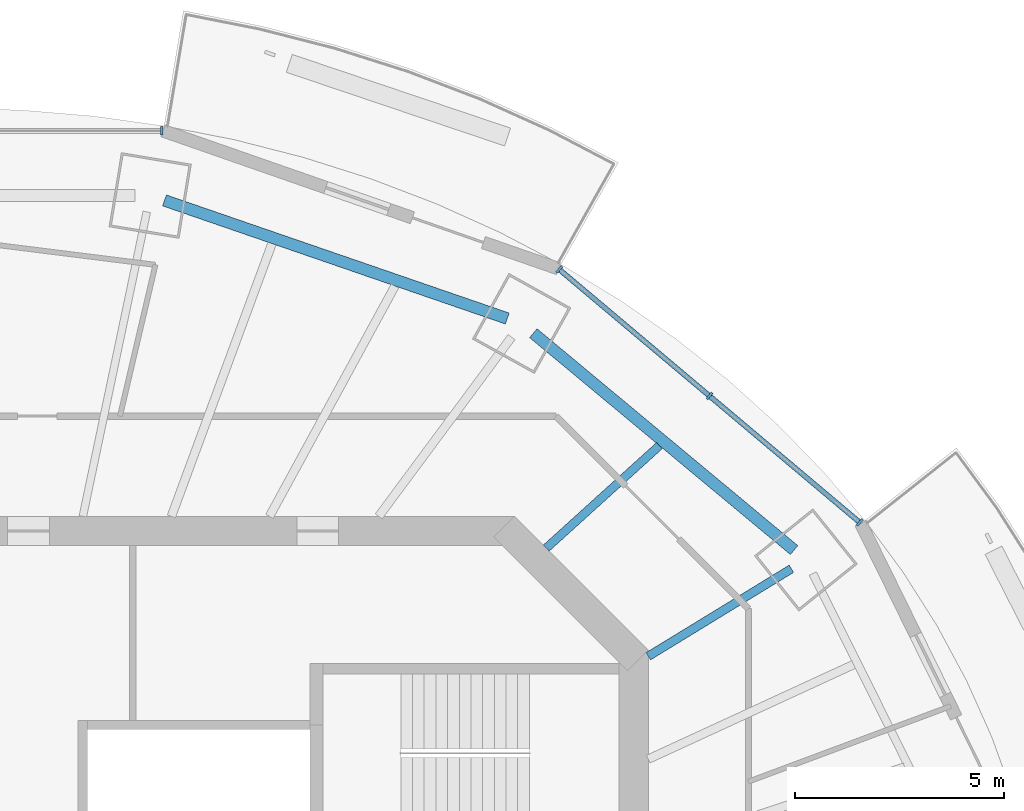
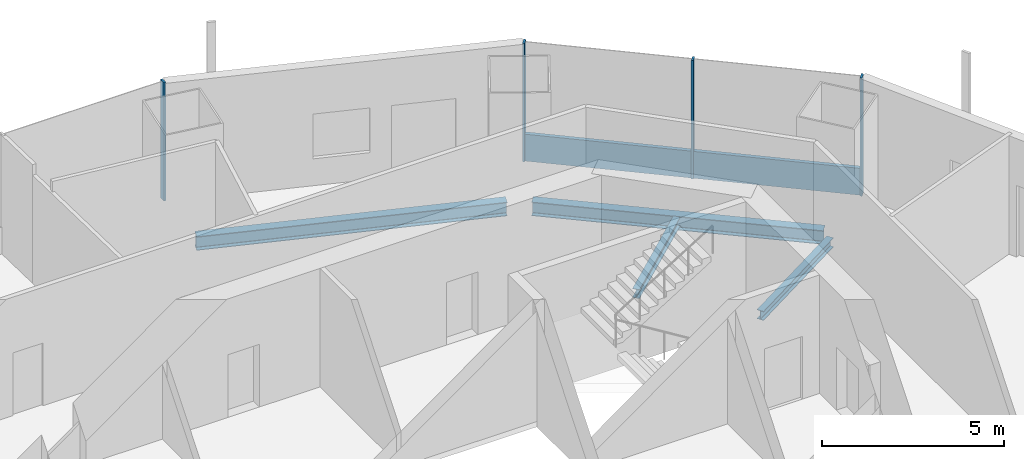
# One storey, part 6 of 16: 5 members, 4 beams, 2 elements without a shape of their own.
"""IFC4 building model written with IfcOpenShell, lengths in metres."""

from ifc_helpers import new_model, si_unit, direction, frame, origin, origin_2d, place, context, subcontext, project, spatial, rectangle, i_section, extrude, material, material_profile, profile_set, type_object, element, aggregate, save


model = new_model("IFC4")

# Units and contexts
model_context = context("Model", 3, precision=1e-05, world=origin(), true_north=direction((0.0, 1.0)))
body_context = subcontext(model_context, "Body", "Model", "MODEL_VIEW")
ifc_project = project(units=[si_unit("LENGTHUNIT", "METRE"), si_unit("AREAUNIT", "SQUARE_METRE"), si_unit("VOLUMEUNIT", "CUBIC_METRE"), si_unit("PLANEANGLEUNIT", "RADIAN"), si_unit("MASSUNIT", "GRAM", prefix="KILO")], contexts=[model_context])

# Site, building, storey
site_placement = place(None, origin())
site = spatial("IfcSite", under=ifc_project, at=site_placement, CompositionType="ELEMENT")
building_placement = place(site_placement, origin())
building = spatial("IfcBuilding", under=site, at=building_placement, Name="Marenthal Gate Tower", CompositionType="ELEMENT")
storey_placement = place(building_placement, frame((0.0, 0.0, 363.35009765625)))
storey = spatial("IfcBuildingStorey", under=building, at=storey_placement, Name="L82", CompositionType="ELEMENT", Elevation=363.35009765625)

# Curtain wall, members
ifc_material_1 = material(Name="Aluminium and glass", Category="aluminium")
curtain_wall_type = type_object("IfcCurtainWallType", Name="Curtain wall typical high", PredefinedType="NOTDEFINED", material=ifc_material_1)
curtain_wall_1_placement = place(storey_placement, origin())
curtain_wall_1 = element("IfcCurtainWall", 1, at=curtain_wall_1_placement, inside=storey, type_object=curtain_wall_type, Name="Curtain wall L82 bay 2", PredefinedType="NOTDEFINED")
ifc_material_2 = material(Name="Aluminium", Category="aluminium")
ifc_material_profile_1 = material_profile(ifc_material_2, rectangle(XDim=0.199951171875, YDim=0.06005859375, at=origin_2d()), Name="60x200 aluminium mullion")
ifc_profile_set_1 = profile_set([ifc_material_profile_1], Name="Aluminium")
member_type_1 = type_object("IfcMemberType", Name="Mullion 60x200 typical high", PredefinedType="MULLION", material=ifc_profile_set_1)
member_1_placement = place(storey_placement, frame((21.41552734375, 13.20361328125, 0.0), z_axis=(0.0, 0.0, 1.0), x_axis=(-0.644022605429, -0.765006459905, 0.0)))
member_1 = element("IfcMember", 2, at=member_1_placement, type_object=member_type_1, Name="Mullion L82 bay 2.1", PredefinedType="MULLION", context=body_context, shape_type="SweptSolid", body=[
    extrude(rectangle(XDim=0.199951171875, YDim=0.06005859375, at=origin_2d()), origin(), (0.0, 0.0, 1.0), 3.969970703125),
])
member_2_placement = place(storey_placement, frame((17.815185546875, 16.234375, 0.0), z_axis=(0.0, 0.0, 1.0), x_axis=(-0.644022605429, -0.765006459905, 0.0)))
member_2 = element("IfcMember", 3, at=member_2_placement, type_object=member_type_1, Name="Mullion L82 bay 2.2", PredefinedType="MULLION", context=body_context, shape_type="SweptSolid", body=[
    extrude(rectangle(XDim=0.199951171875, YDim=0.06005859375, at=origin_2d()), origin(), (0.0, 0.0, 1.0), 3.969970703125),
])
member_3_placement = place(storey_placement, frame((14.215087890625, 19.26513671875, 0.0), z_axis=(0.0, 0.0, 1.0), x_axis=(-0.644022605429, -0.765006459905, 0.0)))
member_3 = element("IfcMember", 4, at=member_3_placement, type_object=member_type_1, Name="Mullion L82 bay 2.3", PredefinedType="MULLION", context=body_context, shape_type="SweptSolid", body=[
    extrude(rectangle(XDim=0.199951171875, YDim=0.06005859375, at=origin_2d()), origin(), (0.0, 0.0, 1.0), 3.969970703125),
])

# Curtain wall, member
curtain_wall_2_placement = place(storey_placement, origin())
curtain_wall_2 = element("IfcCurtainWall", 5, at=curtain_wall_2_placement, inside=storey, type_object=curtain_wall_type, Name="Curtain wall L82 bay 4", PredefinedType="NOTDEFINED")
member_4_placement = place(storey_placement, frame((4.694091796875, 22.586181640625, 0.0), z_axis=(0.0, 0.0, 1.0), x_axis=(0.0, -1.0, 0.0)))
member_4 = element("IfcMember", 6, at=member_4_placement, type_object=member_type_1, Name="Mullion L82 bay 4.1", PredefinedType="MULLION", context=body_context, shape_type="SweptSolid", body=[
    extrude(rectangle(XDim=0.199951171875, YDim=0.06005859375, at=origin_2d()), origin(), (0.0, 0.0, 1.0), 3.969970703125),
])
aggregate(curtain_wall_2, [member_4])

# Member
ifc_material_3 = material(Name="Aluminium", Category="aluminium")
ifc_material_profile_2 = material_profile(ifc_material_3, rectangle(XDim=0.1201171875, YDim=0.89990234375, at=origin_2d()), Name="120x900 aluminium transom")
ifc_profile_set_2 = profile_set([ifc_material_profile_2], Name="Aluminium")
member_type_2 = type_object("IfcMemberType", Name="Transom 120x900 typical high", PredefinedType="USERDEFINED", material=ifc_profile_set_2)
member_5_placement = place(storey_placement, frame((21.392578125, 13.222900390625, 0.449951171875), z_axis=(-0.76501273232, 0.644015154626, 0.0), x_axis=(-0.644015154626, -0.76501273232, 0.0)))
member_5 = element("IfcMember", 7, at=member_5_placement, type_object=member_type_2, Name="Transom L82 bay 2", ObjectType="TRANSOM", PredefinedType="USERDEFINED", context=body_context, shape_type="SweptSolid", body=[
    extrude(rectangle(XDim=0.1201171875, YDim=0.89990234375, at=origin_2d()), origin(), (0.0, 0.0, 1.0), 9.352294921875),
])

aggregate(curtain_wall_1, [member_1, member_2, member_3, member_5])

# Beams
ifc_material_4 = material(Name="Steel S355", Category="steel")
ifc_material_profile_3 = material_profile(ifc_material_4, i_section(OverallWidth=0.202880859375, OverallDepth=0.302001953125, WebThickness=0.007568359375, FlangeThickness=0.01318359375, FilletRadius=0.0126953125, at=origin_2d()), Name="W310X60")
ifc_profile_set_3 = profile_set([ifc_material_profile_3], Name="Steel S355")
beam_type_1 = type_object("IfcBeamType", Name="W310X60 beam", PredefinedType="BEAM", material=ifc_profile_set_3)
beam_1_placement = place(storey_placement, frame((16.614990234375, 15.044189453125, -0.3310546875), z_axis=(-0.741262042513, -0.671215750954, 0.0), x_axis=(0.671215750954, -0.741262042513, 0.0)))
element("IfcBeam", 8, at=beam_1_placement, inside=storey, type_object=beam_type_1, Name="BM-L82-19", PredefinedType="BEAM", context=body_context, shape_type="SweptSolid", body=[
    extrude(i_section(OverallWidth=0.202880859375, OverallDepth=0.302001953125, WebThickness=0.007568359375, FlangeThickness=0.01318359375, FilletRadius=0.0126953125, at=origin_2d()), origin(), (0.0, 0.0, 1.0), 3.65625),
])
ifc_material_5 = material(Name="Steel S355", Category="steel")
ifc_material_profile_4 = material_profile(ifc_material_5, i_section(OverallWidth=0.205078125, OverallDepth=0.31005859375, WebThickness=0.009521484375, FlangeThickness=0.016357421875, FilletRadius=0.0126953125, at=origin_2d()), Name="W310X74")
ifc_profile_set_4 = profile_set([ifc_material_profile_4], Name="Steel S355")
beam_type_2 = type_object("IfcBeamType", Name="W310X74 beam", PredefinedType="BEAM", material=ifc_profile_set_4)
beam_2_placement = place(storey_placement, frame((19.77734375, 12.093994140625, -0.335205078125), z_axis=(-0.853113540312, -0.521725298731, 0.0), x_axis=(0.521725298731, -0.853113540312, 0.0)))
element("IfcBeam", 9, at=beam_2_placement, inside=storey, type_object=beam_type_2, Name="BM-L82-02", PredefinedType="BEAM", context=body_context, shape_type="SweptSolid", body=[
    extrude(i_section(OverallWidth=0.205078125, OverallDepth=0.31005859375, WebThickness=0.009521484375, FlangeThickness=0.016357421875, FilletRadius=0.0126953125, at=origin_2d()), origin(), (0.0, 0.0, 1.0), 4.017333984375),
])
ifc_material_6 = material(Name="Steel S355", Category="steel")
ifc_material_profile_5 = material_profile(ifc_material_6, i_section(OverallWidth=0.279052734375, OverallDepth=0.4619140625, WebThickness=0.0107421875, FlangeThickness=0.017333984375, FilletRadius=0.010009765625, at=origin_2d()), Name="W460X113")
ifc_profile_set_5 = profile_set([ifc_material_profile_5], Name="Steel S355")
beam_type_3 = type_object("IfcBeamType", Name="W460X113 beam", PredefinedType="BEAM", material=ifc_profile_set_5)
beam_3_placement = place(storey_placement, frame((19.84228515625, 12.541259765625, -0.4111328125), z_axis=(-0.768814455902, 0.639471916816, 0.0), x_axis=(-0.639471916816, -0.768814455902, 0.0)))
element("IfcBeam", 10, at=beam_3_placement, inside=storey, type_object=beam_type_3, Name="BM-L82-40", PredefinedType="BEAM", context=body_context, shape_type="SweptSolid", body=[
    extrude(i_section(OverallWidth=0.279052734375, OverallDepth=0.4619140625, WebThickness=0.0107421875, FlangeThickness=0.017333984375, FilletRadius=0.010009765625, at=origin_2d()), origin(), (0.0, 0.0, 1.0), 8.1259765625),
])
beam_4_placement = place(storey_placement, frame((12.970703125, 18.089111328125, -0.4111328125), z_axis=(-0.94545359895, 0.32575679921, 0.0), x_axis=(-0.32575679921, -0.94545359895, 0.0)))
element("IfcBeam", 11, at=beam_4_placement, inside=storey, type_object=beam_type_3, Name="BM-L82-41", PredefinedType="BEAM", context=body_context, shape_type="SweptSolid", body=[
    extrude(i_section(OverallWidth=0.279052734375, OverallDepth=0.4619140625, WebThickness=0.0107421875, FlangeThickness=0.017333984375, FilletRadius=0.010009765625, at=origin_2d()), origin(), (0.0, 0.0, 1.0), 8.686279296875),
])

save(model, "model.ifc")
